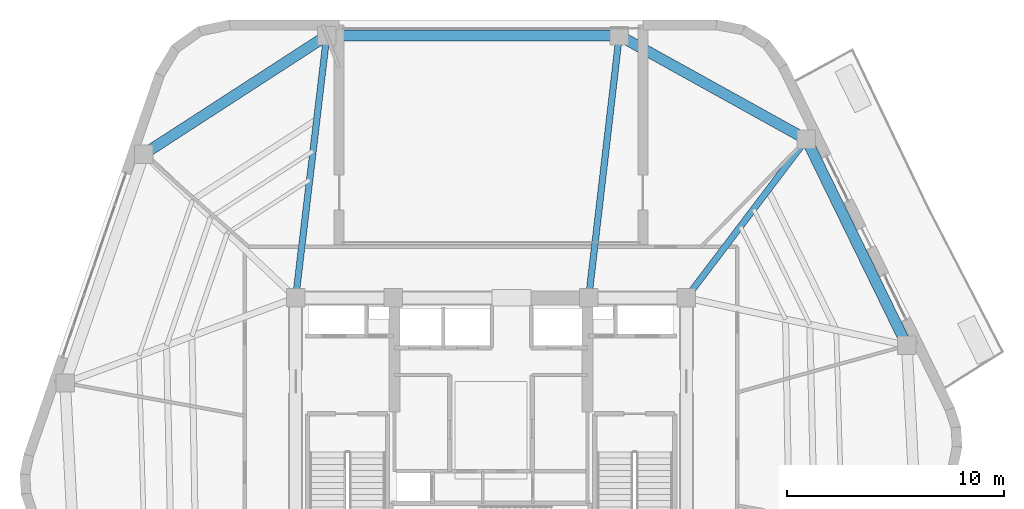
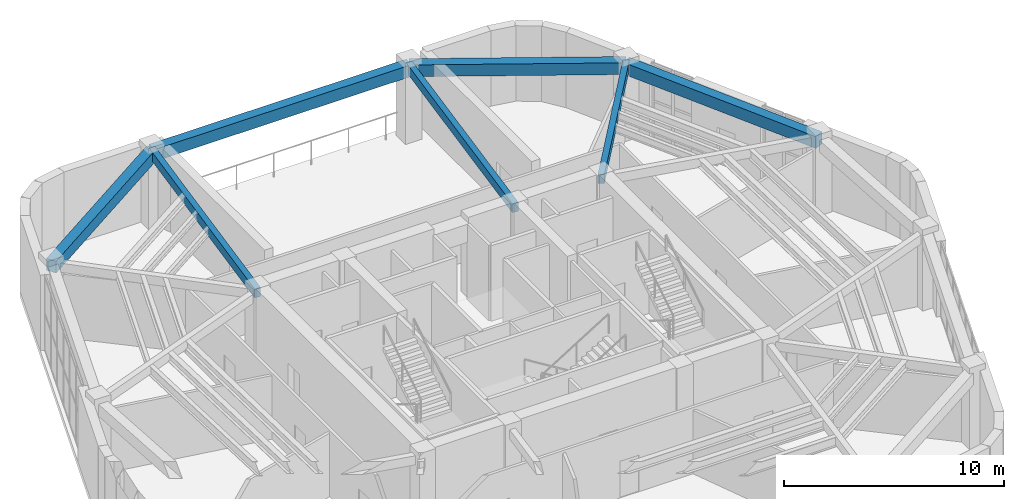
# One storey, part 8 of 15: 7 beams.
"""IFC4 building model written with IfcOpenShell, lengths in metres."""

from ifc_helpers import new_model, si_unit, direction, frame, origin, origin_2d, place, context, subcontext, project, spatial, rectangle, extrude, material, material_profile, profile_set, type_object, element, save


model = new_model("IFC4")

# Units and contexts
model_context = context("Model", 3, precision=1e-05, world=origin(), true_north=direction((0.0, 1.0)))
body_context = subcontext(model_context, "Body", "Model", "MODEL_VIEW")
ifc_project = project(units=[si_unit("LENGTHUNIT", "METRE"), si_unit("AREAUNIT", "SQUARE_METRE"), si_unit("VOLUMEUNIT", "CUBIC_METRE"), si_unit("PLANEANGLEUNIT", "RADIAN"), si_unit("MASSUNIT", "GRAM", prefix="KILO")], contexts=[model_context])

# Site, building, storey
site_placement = place(None, origin())
site = spatial("IfcSite", under=ifc_project, at=site_placement, CompositionType="ELEMENT")
building_placement = place(site_placement, origin())
building = spatial("IfcBuilding", under=site, at=building_placement, Name="Kilnhurst Terrace Hotel", CompositionType="ELEMENT")
storey_placement = place(building_placement, frame((0.0, 0.0, 288.60009765625)))
storey = spatial("IfcBuildingStorey", under=building, at=storey_placement, Name="L72", CompositionType="ELEMENT", Elevation=288.60009765625)

# Beams
ifc_material = material(Name="Concrete C50/60", Category="concrete")
ifc_material_profile_1 = material_profile(ifc_material, rectangle(XDim=0.300048828125, YDim=0.5, at=origin_2d()), Name="RC300X500")
ifc_profile_set_1 = profile_set([ifc_material_profile_1], Name="Concrete C50/60")
beam_type_1 = type_object("IfcBeamType", Name="BM-RAD-300X500", PredefinedType="BEAM", material=ifc_profile_set_1)
beam_1_placement = place(storey_placement, frame((9.0, 7.5, 3.929931640625), z_axis=(0.604006537698, 0.79697936135, 0.0), x_axis=(-0.79697936135, 0.604006537698, 0.0)))
element("IfcBeam", 1, at=beam_1_placement, inside=storey, type_object=beam_type_1, Name="L72 Radial Floor Beam 6", PredefinedType="BEAM", context=body_context, shape_type="SweptSolid", body=[
    extrude(rectangle(XDim=0.300048828125, YDim=0.5, at=origin_2d()), origin(), (0.0, 0.0, 1.0), 9.1572265625),
])
beam_2_placement = place(storey_placement, frame((4.5, 7.5, 3.929931640625), z_axis=(0.115768472001, 0.993276225876, 0.0), x_axis=(-0.993276225876, 0.115768472001, 0.0)))
element("IfcBeam", 2, at=beam_2_placement, inside=storey, type_object=beam_type_1, Name="L72 Radial Floor Beam 7", PredefinedType="BEAM", context=body_context, shape_type="SweptSolid", body=[
    extrude(rectangle(XDim=0.300048828125, YDim=0.5, at=origin_2d()), origin(), (0.0, 0.0, 1.0), 12.161865234375),
])
beam_3_placement = place(storey_placement, frame((-9.0, 7.5, 3.929931640625), z_axis=(0.117629552811, 0.993057545314, 0.0), x_axis=(-0.993057545314, 0.117629552811, 0.0)))
element("IfcBeam", 3, at=beam_3_placement, inside=storey, type_object=beam_type_1, Name="L72 Radial Floor Beam 8", PredefinedType="BEAM", context=body_context, shape_type="SweptSolid", body=[
    extrude(rectangle(XDim=0.300048828125, YDim=0.5, at=origin_2d()), origin(), (0.0, 0.0, 1.0), 12.16455078125),
])
ifc_material_profile_2 = material_profile(ifc_material, rectangle(XDim=0.5, YDim=0.64990234375, at=origin_2d()), Name="RC500X650")
ifc_profile_set_2 = profile_set([ifc_material_profile_2], Name="Concrete C50/60")
beam_type_2 = type_object("IfcBeamType", Name="BM-SPN-500X650", PredefinedType="SPANDREL", material=ifc_profile_set_2)
beam_4_placement = place(storey_placement, frame((19.157958984375, 5.304931640625, 3.85498046875), z_axis=(-0.438128464895, 0.898912369616, 0.0), x_axis=(-0.898912369616, -0.438128464895, 0.0)))
element("IfcBeam", 4, at=beam_4_placement, inside=storey, type_object=beam_type_2, Name="L72 Perimeter Spandrel Beam 5", PredefinedType="SPANDREL", context=body_context, shape_type="SweptSolid", body=[
    extrude(rectangle(XDim=0.5, YDim=0.64990234375, at=origin_2d()), origin(), (0.0, 0.0, 1.0), 10.560791015625),
])
beam_5_placement = place(storey_placement, frame((14.531005859375, 14.798095703125, 3.85498046875), z_axis=(-0.874527255888, 0.484976369227, 0.0), x_axis=(-0.484976369227, -0.874527255888, 0.0)))
element("IfcBeam", 5, at=beam_5_placement, inside=storey, type_object=beam_type_2, Name="L72 Perimeter Spandrel Beam 6", PredefinedType="SPANDREL", context=body_context, shape_type="SweptSolid", body=[
    extrude(rectangle(XDim=0.5, YDim=0.64990234375, at=origin_2d()), origin(), (0.0, 0.0, 1.0), 9.8603515625),
])
beam_6_placement = place(storey_placement, frame((5.907958984375, 19.580078125, 3.85498046875), z_axis=(-1.0, 0.0, 0.0), x_axis=(0.0, -1.0, 0.0)))
element("IfcBeam", 6, at=beam_6_placement, inside=storey, type_object=beam_type_2, Name="L72 Perimeter Spandrel Beam 7", PredefinedType="SPANDREL", context=body_context, shape_type="SweptSolid", body=[
    extrude(rectangle(XDim=0.5, YDim=0.64990234375, at=origin_2d()), origin(), (0.0, 0.0, 1.0), 13.47705078125),
])
beam_7_placement = place(storey_placement, frame((-7.569091796875, 19.580078125, 3.85498046875), z_axis=(-0.839258818809, -0.543732135386, 0.0), x_axis=(0.543732135386, -0.839258818809, 0.0)))
element("IfcBeam", 7, at=beam_7_placement, inside=storey, type_object=beam_type_2, Name="L72 Perimeter Spandrel Beam 8", PredefinedType="SPANDREL", context=body_context, shape_type="SweptSolid", body=[
    extrude(rectangle(XDim=0.5, YDim=0.64990234375, at=origin_2d()), origin(), (0.0, 0.0, 1.0), 10.039794921875),
])

save(model, "model.ifc")
